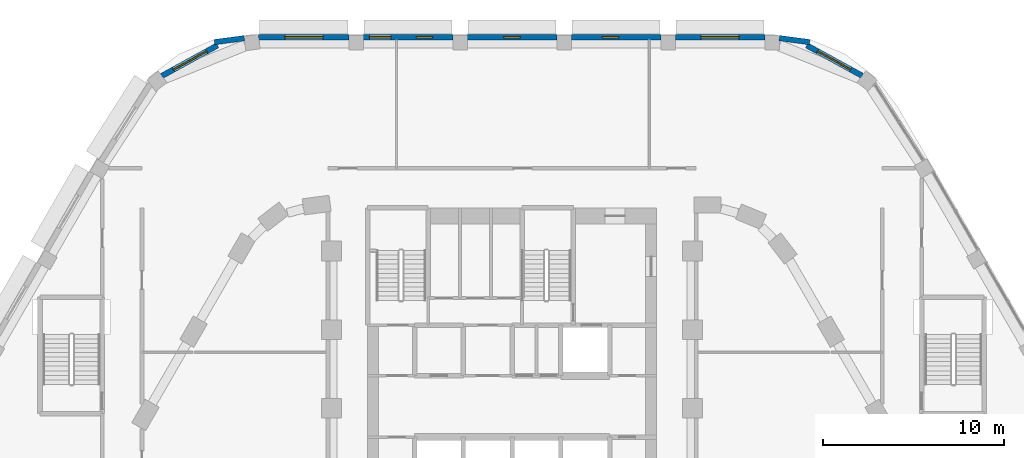
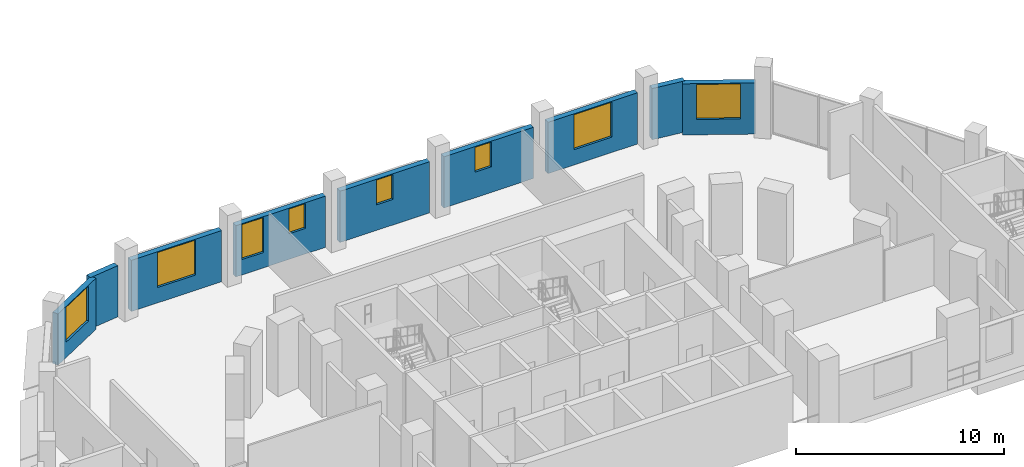
# One storey, part 28 of 47: 9 walls, 8 windows, 8 openings.
"""IFC4 building model written with IfcOpenShell, lengths in metres."""

import ifcopenshell
import ifcopenshell.guid

model = None  # the IFC model being written
_history = None  # IfcOwnerHistory: only IFC2X3 demands one
_inside = {}  # id of a spatial element -> (the spatial element, [elements in it])
_under = {}  # id of a project, library or spatial element -> (it, [spatial elements below it])
_declared = {}  # id of a project -> (the project, [libraries it declares])
_typed = {}  # id of a type object -> (the type object, [elements of that type])
_made_of = {}  # id of a material, layer set ... -> (it, [elements and type objects made of it])


def new_model(schema):
    """Start an empty IFC model of exactly this schema.

    Asked for "IFC4X3", IfcOpenShell would pick the latest addendum, in which some entities
    have other attributes; the version numbers below select the first issue.
    IFC2X3 requires an IfcOwnerHistory on every rooted entity: one is made here for all.
    """
    global model, _history
    if schema == "IFC4X3":
        model = ifcopenshell.file(schema_version=(4, 3, 0, 0))
    else:
        model = ifcopenshell.file(schema=schema)
    _inside.clear()
    _under.clear()
    _declared.clear()
    _typed.clear()
    _made_of.clear()
    _history = None
    if model.schema == "IFC2X3":
        org = make("IfcOrganization", Name="unknown")
        user = make(
            "IfcPersonAndOrganization",
            ThePerson=make("IfcPerson", FamilyName="unknown"),
            TheOrganization=org,
        )
        app = make(
            "IfcApplication",
            ApplicationDeveloper=org,
            Version="unknown",
            ApplicationFullName="unknown",
            ApplicationIdentifier="unknown",
        )
        _history = make(
            "IfcOwnerHistory",
            OwningUser=user,
            OwningApplication=app,
            ChangeAction="ADDED",
            CreationDate=0,
        )
    return model


def make(cls, **values):
    """One entity of the class cls with the attributes given. An attribute that is None is left unset."""
    return model.create_entity(
        cls, **{name: value for name, value in values.items() if value is not None}
    )


def rooted(cls, **values):
    """An entity with a GlobalId (a new one), such as an element, a storey or a relation."""
    return make(cls, GlobalId=ifcopenshell.guid.new(), OwnerHistory=_history, **values)


def si_unit(unit_type, name, prefix=None):
    """IfcSIUnit, for example si_unit("LENGTHUNIT", "METRE", prefix="MILLI")."""
    return make("IfcSIUnit", UnitType=unit_type, Prefix=prefix, Name=name)


def assignment(units):
    """IfcUnitAssignment: the units of a project."""
    return None if units is None else make("IfcUnitAssignment", Units=units)


def point(xyz):
    """IfcCartesianPoint."""
    return None if xyz is None else make("IfcCartesianPoint", Coordinates=xyz)


def direction(xyz):
    """IfcDirection."""
    return None if xyz is None else make("IfcDirection", DirectionRatios=xyz)


def frame(location, z_axis=None, x_axis=None):
    """IfcAxis2Placement3D, a coordinate frame: its origin and axes. An axis left out is left unset."""
    return make(
        "IfcAxis2Placement3D",
        Location=point(location),
        Axis=direction(z_axis),
        RefDirection=direction(x_axis),
    )


def frame_2d(location, x_axis=None):
    """IfcAxis2Placement2D, a coordinate frame in the plane: its origin and x axis."""
    return make(
        "IfcAxis2Placement2D", Location=point(location), RefDirection=direction(x_axis)
    )


def origin():
    """The frame at (0, 0, 0) with its axes left unset."""
    return frame((0.0, 0.0, 0.0))


def place(relative_to, where):
    """IfcLocalPlacement: puts the frame where relative to a parent placement (None: the world)."""
    return make(
        "IfcLocalPlacement", PlacementRelTo=relative_to, RelativePlacement=where
    )


def context(
    kind, dimensions, precision=None, world=None, true_north=None, identifier=None
):
    """IfcGeometricRepresentationContext, for example the 3D "Model" context."""
    return make(
        "IfcGeometricRepresentationContext",
        ContextIdentifier=identifier,
        ContextType=kind,
        CoordinateSpaceDimension=dimensions,
        Precision=precision,
        WorldCoordinateSystem=world,
        TrueNorth=true_north,
    )


def subcontext(parent, identifier, kind, view, scale=None):
    """IfcGeometricRepresentationSubContext, for example "Body" below "Model"."""
    return make(
        "IfcGeometricRepresentationSubContext",
        ContextIdentifier=identifier,
        ContextType=kind,
        ParentContext=parent,
        TargetScale=scale,
        TargetView=view,
    )


def project(units=None, contexts=None):
    """IfcProject with its units and contexts."""
    return rooted(
        "IfcProject",
        Name="project",
        RepresentationContexts=contexts,
        UnitsInContext=assignment(units),
    )


def spatial(cls, under=None, at=None, **own):
    """A site, building, storey or space (cls), placed at a placement, below another one or the project."""
    s = rooted(cls, ObjectPlacement=at, **own)
    if under is not None:
        _under.setdefault(under.id(), (under, []))[1].append(s)
    return s


def profile(cls, at=None, kind="AREA", **sizes):
    """A parametric profile (cls). Its sizes go by their IFC names, for example OverallWidth=200.0."""
    return make(cls, ProfileType=kind, Position=at, **sizes)


def rectangle(**sizes):
    """IfcRectangleProfileDef."""
    return profile("IfcRectangleProfileDef", **sizes)


def extrude(swept, where, along, depth):
    """IfcExtrudedAreaSolid: the profile swept, set in the frame where, extruded along a direction by depth."""
    return make(
        "IfcExtrudedAreaSolid",
        SweptArea=swept,
        Position=where,
        ExtrudedDirection=direction(along),
        Depth=depth,
    )


def shape(context_of_items, identifier, shape_type, items):
    """IfcShapeRepresentation: the items that make up one representation, for example the "Body"."""
    return make(
        "IfcShapeRepresentation",
        ContextOfItems=context_of_items,
        RepresentationIdentifier=identifier,
        RepresentationType=shape_type,
        Items=items,
    )


def material(Name=None, Category=None):
    """IfcMaterial."""
    return make("IfcMaterial", Name=Name, Category=Category)


def layer(
    of_material, thickness, ventilated=None, Name=None, Category=None, Priority=None
):
    """IfcMaterialLayer: one layer of a wall or slab, of a material (None: an air gap)."""
    return make(
        "IfcMaterialLayer",
        Material=of_material,
        LayerThickness=thickness,
        IsVentilated=ventilated,
        Name=Name,
        Category=Category,
        Priority=Priority,
    )


def layer_set(layers, Name=None):
    """IfcMaterialLayerSet."""
    return make("IfcMaterialLayerSet", MaterialLayers=layers, LayerSetName=Name)


def made_of(thing, what):
    """Note that an element or type object is made of a material, layer set ...; save() writes the relation."""
    if what is not None:
        _made_of.setdefault(what.id(), (what, []))[1].append(thing)
    return thing


def type_object(cls, material=None, **own):
    """A type object (cls), such as IfcWallType, which elements share."""
    return made_of(rooted(cls, **own), material)


def element(
    cls,
    number,
    at=None,
    inside=None,
    cuts=None,
    type_object=None,
    material=None,
    context=None,
    identifier="Body",
    shape_type=None,
    held_by="IfcProductDefinitionShape",
    body=None,
    shapes=None,
    **own,
):
    """One element of the class cls, such as IfcWall. Its Tag is "e" and its number.

    at: its placement. inside: the storey or other place that contains it. cuts: it is an
    opening in that element (IfcRelVoidsElement). A single representation is given by context,
    identifier, shape_type and body (its items); several are given by shapes. held_by: the class
    of the entity that holds the representations. save() writes the other relations.
    """
    e = rooted(cls, Tag="e%d" % number, ObjectPlacement=at, **own)
    if body is not None:
        shapes = [shape(context, identifier, shape_type, body)]
    if shapes is not None:
        e.Representation = make(held_by, Representations=shapes)
    if inside is not None:
        _inside.setdefault(inside.id(), (inside, []))[1].append(e)
    if cuts is not None:
        rooted(
            "IfcRelVoidsElement", RelatingBuildingElement=cuts, RelatedOpeningElement=e
        )
    if type_object is not None:
        _typed.setdefault(type_object.id(), (type_object, []))[1].append(e)
    return made_of(e, material)


def fill(opening, filler):
    """IfcRelFillsElement: the door or window that sits in an opening."""
    return rooted(
        "IfcRelFillsElement",
        RelatingOpeningElement=opening,
        RelatedBuildingElement=filler,
    )


def aggregate(whole, parts):
    """IfcRelAggregates: a whole, such as a stair, and the parts it consists of."""
    return rooted("IfcRelAggregates", RelatingObject=whole, RelatedObjects=parts)


def save(model, path):
    """Write the relations noted so far, then the file.

    IfcRelAggregates (storeys below a building ...), IfcRelContainedInSpatialStructure (elements
    in a storey), IfcRelDefinesByType, IfcRelAssociatesMaterial and IfcRelDeclares: one each for
    every whole, place, type object, material and project.
    """
    for whole, parts in _under.values():
        aggregate(whole, parts)
    for where, things in _inside.values():
        rooted(
            "IfcRelContainedInSpatialStructure",
            RelatedElements=things,
            RelatingStructure=where,
        )
    for kind, things in _typed.values():
        rooted("IfcRelDefinesByType", RelatedObjects=things, RelatingType=kind)
    for what, things in _made_of.values():
        rooted("IfcRelAssociatesMaterial", RelatedObjects=things, RelatingMaterial=what)
    for by, libraries in _declared.values():
        rooted("IfcRelDeclares", RelatingContext=by, RelatedDefinitions=libraries)
    model.write(path)


model = new_model("IFC4")

# Units and contexts
model_context = context("Model", 3, precision=1e-05, world=origin(), true_north=direction((0.0, 1.0)))
body_context = subcontext(model_context, "Body", "Model", "MODEL_VIEW")
ifc_project = project(units=[si_unit("LENGTHUNIT", "METRE"), si_unit("AREAUNIT", "SQUARE_METRE"), si_unit("VOLUMEUNIT", "CUBIC_METRE"), si_unit("PLANEANGLEUNIT", "RADIAN"), si_unit("MASSUNIT", "GRAM", prefix="KILO")], contexts=[model_context])

# Site, building, storey
site_placement = place(None, origin())
site = spatial("IfcSite", under=ifc_project, at=site_placement, CompositionType="ELEMENT")
building_placement = place(site_placement, origin())
building = spatial("IfcBuilding", under=site, at=building_placement, Name="Nakaniwa Court", CompositionType="ELEMENT")
storey_placement = place(building_placement, frame((0.0, 0.0, 15.60009765625)))
storey = spatial("IfcBuildingStorey", under=building, at=storey_placement, Name="L03", CompositionType="ELEMENT", Elevation=15.60009765625)

# Wall, opening, window
ifc_material_1 = material(Name="Charcoal ceramic cladding")
ifc_layer_1 = layer(ifc_material_1, 0.02, Name="Ceramic cladding")
ifc_material_2 = material(Name="Ventilated air cavity")
ifc_layer_2 = layer(ifc_material_2, 0.04, ventilated=True, Name="Ventilated cavity")
ifc_material_3 = material(Name="Mineral wool insulation")
ifc_layer_3 = layer(ifc_material_3, 0.1, Name="Insulation")
ifc_material_4 = material(Name="Cement bonded sheathing board")
ifc_layer_4 = layer(ifc_material_4, 0.012, Name="Sheathing")
ifc_material_5 = material(Name="Cold-formed galvanised stud frame with mineral wool infill")
ifc_layer_5 = layer(ifc_material_5, 0.1, Name="Stud frame")
ifc_material_6 = material(Name="Fire-rated gypsum plasterboard lining")
ifc_layer_6 = layer(ifc_material_6, 0.028, Name="Lining")
ifc_layer_set = layer_set([ifc_layer_1, ifc_layer_2, ifc_layer_3, ifc_layer_4, ifc_layer_5, ifc_layer_6], Name="Charcoal ceramic faced external wall system")
wall_type = type_object("IfcWallType", Name="Black ceramic faced external wall 300", PredefinedType="SOLIDWALL", material=ifc_layer_set)
wall_1_placement = place(storey_placement, frame((99.388671875, 110.71533203125, 0.0), z_axis=(0.0, 0.0, 1.0), x_axis=(-0.876785818174, 0.480881096581, 0.0)))
wall_1 = element("IfcWall", 1, at=wall_1_placement, inside=storey, type_object=wall_type, Name="L03 external wall 44", PredefinedType="SOLIDWALL", context=body_context, shape_type="SweptSolid", body=[
    extrude(rectangle(XDim=3.49658203125, YDim=0.300048828125, at=frame_2d((1.748291015625, 0.0))), origin(), (0.0, 0.0, 1.0), 3.0),
])
opening_1_placement = place(wall_1_placement, frame((0.723388671875, 0.0, 0.89990234375)))
opening_1 = element("IfcOpeningElement", 2, at=opening_1_placement, cuts=wall_1, Name="Opening W2.35", PredefinedType="OPENING", context=body_context, shape_type="SweptSolid", body=[
    extrude(rectangle(XDim=2.10009765625, YDim=2.050048828125, at=frame_2d((1.050048828125, 1.02490234375))), frame((0.0, 0.159912109375, 0.0), z_axis=(0.0, -1.0, 0.0), x_axis=(1.0, 0.0, 0.0)), (0.0, 0.0, 1.0), 0.320068359375),
])
ifc_material_7 = material(Name="Black anodised aluminium frame with dark low-E laminated double glazing", Category="aluminium")
window_type_1 = type_object("IfcWindowType", Name="Dark glass window 2100x2050 sill 900", PartitioningType="SINGLE_PANEL", PredefinedType="WINDOW", material=ifc_material_7)
window_1_placement = place(opening_1_placement, origin())
window_1 = element("IfcWindow", 3, at=window_1_placement, inside=storey, type_object=window_type_1, Name="L03 habitable room window 44-0", OverallHeight=2.050048828125, OverallWidth=2.10009765625, PartitioningType="SINGLE_PANEL", PredefinedType="WINDOW", context=body_context, shape_type="SweptSolid", body=[
    extrude(rectangle(XDim=2.10009765625, YDim=2.050048828125, at=frame_2d((1.050048828125, 1.02490234375))), frame((0.0, 0.030029296875, 0.0), z_axis=(0.0, -1.0, 0.0), x_axis=(1.0, 0.0, 0.0)), (0.0, 0.0, 1.0), 0.06005859375),
])
fill(opening_1, window_1)

# Wall
wall_2_placement = place(storey_placement, frame((96.484619140625, 112.57861328125, 0.0), z_axis=(0.0, 0.0, 1.0), x_axis=(-0.991431291018, 0.130629227937, 0.0)))
element("IfcWall", 4, at=wall_2_placement, inside=storey, type_object=wall_type, Name="L03 external wall 45", PredefinedType="SOLIDWALL", context=body_context, shape_type="SweptSolid", body=[
    extrude(rectangle(XDim=1.698974609375, YDim=0.300048828125, at=frame_2d((0.849609375, 0.0))), origin(), (0.0, 0.0, 1.0), 3.0),
])

# Wall, opening, window
wall_3_placement = place(storey_placement, frame((94.00830078125, 112.85009765625, 0.0), z_axis=(0.0, 0.0, 1.0), x_axis=(-1.0, 0.0, 0.0)))
wall_3 = element("IfcWall", 5, at=wall_3_placement, inside=storey, type_object=wall_type, Name="L03 external wall 46", PredefinedType="SOLIDWALL", context=body_context, shape_type="SweptSolid", body=[
    extrude(rectangle(XDim=4.9697265625, YDim=0.300048828125, at=frame_2d((2.48486328125, 0.0))), origin(), (0.0, 0.0, 1.0), 3.0),
])
opening_2_placement = place(wall_3_placement, frame((1.434814453125, 0.0, 0.89990234375)))
opening_2 = element("IfcOpeningElement", 6, at=opening_2_placement, cuts=wall_3, Name="Opening W2.36", PredefinedType="OPENING", context=body_context, shape_type="SweptSolid", body=[
    extrude(rectangle(XDim=2.10009765625, YDim=2.050048828125, at=frame_2d((1.050048828125, 1.02490234375))), frame((0.0, 0.159912109375, 0.0), z_axis=(0.0, -1.0, 0.0), x_axis=(1.0, 0.0, 0.0)), (0.0, 0.0, 1.0), 0.320068359375),
])
window_2_placement = place(opening_2_placement, origin())
window_2 = element("IfcWindow", 7, at=window_2_placement, inside=storey, type_object=window_type_1, Name="L03 habitable room window 46-0", OverallHeight=2.050048828125, OverallWidth=2.10009765625, PartitioningType="SINGLE_PANEL", PredefinedType="WINDOW", context=body_context, shape_type="SweptSolid", body=[
    extrude(rectangle(XDim=2.10009765625, YDim=2.050048828125, at=frame_2d((1.050048828125, 1.02490234375))), frame((0.0, 0.030029296875, 0.0), z_axis=(0.0, -1.0, 0.0), x_axis=(1.0, 0.0, 0.0)), (0.0, 0.0, 1.0), 0.06005859375),
])
fill(opening_2, window_2)

wall_4_placement = place(storey_placement, frame((88.24658203125, 112.85009765625, 0.0), z_axis=(0.0, 0.0, 1.0), x_axis=(-1.0, 0.0, 0.0)))
wall_4 = element("IfcWall", 8, at=wall_4_placement, inside=storey, type_object=wall_type, Name="L03 external wall 47", PredefinedType="SOLIDWALL", context=body_context, shape_type="SweptSolid", body=[
    extrude(rectangle(XDim=4.9697265625, YDim=0.300048828125, at=frame_2d((2.48486328125, 0.0))), origin(), (0.0, 0.0, 1.0), 3.0),
])
opening_3_placement = place(wall_4_placement, frame((2.34619140625, 0.0, 1.5)))
opening_3 = element("IfcOpeningElement", 9, at=opening_3_placement, cuts=wall_4, Name="Opening W3.37", PredefinedType="OPENING", context=body_context, shape_type="SweptSolid", body=[
    extrude(rectangle(XDim=0.89990234375, YDim=1.449951171875, at=frame_2d((0.449951171875, 0.72509765625))), frame((0.0, 0.159912109375, 0.0), z_axis=(0.0, -1.0, 0.0), x_axis=(1.0, 0.0, 0.0)), (0.0, 0.0, 1.0), 0.320068359375),
])
window_type_2 = type_object("IfcWindowType", Name="Dark glass window 900x1450 sill 1500", PartitioningType="SINGLE_PANEL", PredefinedType="WINDOW", material=ifc_material_7)
window_3_placement = place(opening_3_placement, origin())
window_3 = element("IfcWindow", 10, at=window_3_placement, inside=storey, type_object=window_type_2, Name="L03 bathroom window 47-1", OverallHeight=1.449951171875, OverallWidth=0.89990234375, PartitioningType="SINGLE_PANEL", PredefinedType="WINDOW", context=body_context, shape_type="SweptSolid", body=[
    extrude(rectangle(XDim=0.89990234375, YDim=1.449951171875, at=frame_2d((0.449951171875, 0.72509765625))), frame((0.0, 0.030029296875, 0.0), z_axis=(0.0, -1.0, 0.0), x_axis=(1.0, 0.0, 0.0)), (0.0, 0.0, 1.0), 0.06005859375),
])
fill(opening_3, window_3)

wall_5_placement = place(storey_placement, frame((82.48486328125, 112.85009765625, 0.0), z_axis=(0.0, 0.0, 1.0), x_axis=(-1.0, 0.0, 0.0)))
wall_5 = element("IfcWall", 11, at=wall_5_placement, inside=storey, type_object=wall_type, Name="L03 external wall 48", PredefinedType="SOLIDWALL", context=body_context, shape_type="SweptSolid", body=[
    extrude(rectangle(XDim=4.9697265625, YDim=0.300048828125, at=frame_2d((2.48486328125, 0.0))), origin(), (0.0, 0.0, 1.0), 3.0),
])
opening_4_placement = place(wall_5_placement, frame((2.034912109375, 0.0, 1.5)))
opening_4 = element("IfcOpeningElement", 12, at=opening_4_placement, cuts=wall_5, Name="Opening W3.38", PredefinedType="OPENING", context=body_context, shape_type="SweptSolid", body=[
    extrude(rectangle(XDim=0.89990234375, YDim=1.449951171875, at=frame_2d((0.449951171875, 0.72509765625))), frame((0.0, 0.159912109375, 0.0), z_axis=(0.0, -1.0, 0.0), x_axis=(1.0, 0.0, 0.0)), (0.0, 0.0, 1.0), 0.320068359375),
])
window_4_placement = place(opening_4_placement, origin())
window_4 = element("IfcWindow", 13, at=window_4_placement, inside=storey, type_object=window_type_2, Name="L03 bathroom window 48-0", OverallHeight=1.449951171875, OverallWidth=0.89990234375, PartitioningType="SINGLE_PANEL", PredefinedType="WINDOW", context=body_context, shape_type="SweptSolid", body=[
    extrude(rectangle(XDim=0.89990234375, YDim=1.449951171875, at=frame_2d((0.449951171875, 0.72509765625))), frame((0.0, 0.030029296875, 0.0), z_axis=(0.0, -1.0, 0.0), x_axis=(1.0, 0.0, 0.0)), (0.0, 0.0, 1.0), 0.06005859375),
])
fill(opening_4, window_4)

# Wall, openings, windows
wall_6_placement = place(storey_placement, frame((76.72314453125, 112.85009765625, 0.0), z_axis=(0.0, 0.0, 1.0), x_axis=(-1.0, 0.0, 0.0)))
wall_6 = element("IfcWall", 14, at=wall_6_placement, inside=storey, type_object=wall_type, Name="L03 external wall 49", PredefinedType="SOLIDWALL", context=body_context, shape_type="SweptSolid", body=[
    extrude(rectangle(XDim=4.9697265625, YDim=0.300048828125, at=frame_2d((2.48486328125, 0.0))), origin(), (0.0, 0.0, 1.0), 3.0),
])
opening_5_placement = place(wall_6_placement, frame((1.12353515625, 0.0, 1.5)))
opening_5 = element("IfcOpeningElement", 15, at=opening_5_placement, cuts=wall_6, Name="Opening W3.39", PredefinedType="OPENING", context=body_context, shape_type="SweptSolid", body=[
    extrude(rectangle(XDim=0.89990234375, YDim=1.449951171875, at=frame_2d((0.449951171875, 0.72509765625))), frame((0.0, 0.159912109375, 0.0), z_axis=(0.0, -1.0, 0.0), x_axis=(1.0, 0.0, 0.0)), (0.0, 0.0, 1.0), 0.320068359375),
])
opening_6_placement = place(wall_6_placement, frame((3.434326171875, 0.0, 0.89990234375)))
opening_6 = element("IfcOpeningElement", 16, at=opening_6_placement, cuts=wall_6, Name="Opening W1.40", PredefinedType="OPENING", context=body_context, shape_type="SweptSolid", body=[
    extrude(rectangle(XDim=1.199951171875, YDim=2.050048828125, at=frame_2d((0.60009765625, 1.02490234375))), frame((0.0, 0.159912109375, 0.0), z_axis=(0.0, -1.0, 0.0), x_axis=(1.0, 0.0, 0.0)), (0.0, 0.0, 1.0), 0.320068359375),
])
window_type_3 = type_object("IfcWindowType", Name="Dark glass window 1200x2050 sill 900", PartitioningType="SINGLE_PANEL", PredefinedType="WINDOW", material=ifc_material_7)
window_5_placement = place(opening_6_placement, origin())
window_5 = element("IfcWindow", 17, at=window_5_placement, inside=storey, type_object=window_type_3, Name="L03 habitable room window 49-1", OverallHeight=2.050048828125, OverallWidth=1.199951171875, PartitioningType="SINGLE_PANEL", PredefinedType="WINDOW", context=body_context, shape_type="SweptSolid", body=[
    extrude(rectangle(XDim=1.199951171875, YDim=2.050048828125, at=frame_2d((0.60009765625, 1.02490234375))), frame((0.0, 0.030029296875, 0.0), z_axis=(0.0, -1.0, 0.0), x_axis=(1.0, 0.0, 0.0)), (0.0, 0.0, 1.0), 0.06005859375),
])
fill(opening_6, window_5)
window_6_placement = place(opening_5_placement, origin())
window_6 = element("IfcWindow", 18, at=window_6_placement, inside=storey, type_object=window_type_2, Name="L03 bathroom window 49-0", OverallHeight=1.449951171875, OverallWidth=0.89990234375, PartitioningType="SINGLE_PANEL", PredefinedType="WINDOW", context=body_context, shape_type="SweptSolid", body=[
    extrude(rectangle(XDim=0.89990234375, YDim=1.449951171875, at=frame_2d((0.449951171875, 0.72509765625))), frame((0.0, 0.030029296875, 0.0), z_axis=(0.0, -1.0, 0.0), x_axis=(1.0, 0.0, 0.0)), (0.0, 0.0, 1.0), 0.06005859375),
])
fill(opening_5, window_6)

# Wall, opening, window
wall_7_placement = place(storey_placement, frame((70.96142578125, 112.85009765625, 0.0), z_axis=(0.0, 0.0, 1.0), x_axis=(-1.0, 0.0, 0.0)))
wall_7 = element("IfcWall", 19, at=wall_7_placement, inside=storey, type_object=wall_type, Name="L03 external wall 50", PredefinedType="SOLIDWALL", context=body_context, shape_type="SweptSolid", body=[
    extrude(rectangle(XDim=5.005615234375, YDim=0.300048828125, at=frame_2d((2.5029296875, 0.0))), origin(), (0.0, 0.0, 1.0), 3.0),
])
opening_7_placement = place(wall_7_placement, frame((1.441650390625, 0.0, 0.89990234375)))
opening_7 = element("IfcOpeningElement", 20, at=opening_7_placement, cuts=wall_7, Name="Opening W2.41", PredefinedType="OPENING", context=body_context, shape_type="SweptSolid", body=[
    extrude(rectangle(XDim=2.10009765625, YDim=2.050048828125, at=frame_2d((1.050048828125, 1.02490234375))), frame((0.0, 0.159912109375, 0.0), z_axis=(0.0, -1.0, 0.0), x_axis=(1.0, 0.0, 0.0)), (0.0, 0.0, 1.0), 0.320068359375),
])
window_7_placement = place(opening_7_placement, origin())
window_7 = element("IfcWindow", 21, at=window_7_placement, inside=storey, type_object=window_type_1, Name="L03 habitable room window 50-0", OverallHeight=2.050048828125, OverallWidth=2.10009765625, PartitioningType="SINGLE_PANEL", PredefinedType="WINDOW", context=body_context, shape_type="SweptSolid", body=[
    extrude(rectangle(XDim=2.10009765625, YDim=2.050048828125, at=frame_2d((1.050048828125, 1.02490234375))), frame((0.0, 0.030029296875, 0.0), z_axis=(0.0, -1.0, 0.0), x_axis=(1.0, 0.0, 0.0)), (0.0, 0.0, 1.0), 0.06005859375),
])
fill(opening_7, window_7)

# Wall
wall_8_placement = place(storey_placement, frame((65.1640625, 112.795654296875, 0.0), z_axis=(0.0, 0.0, 1.0), x_axis=(-0.991445798324, -0.130519075183, 0.0)))
element("IfcWall", 22, at=wall_8_placement, inside=storey, type_object=wall_type, Name="L03 external wall 51", PredefinedType="SOLIDWALL", context=body_context, shape_type="SweptSolid", body=[
    extrude(rectangle(XDim=1.662841796875, YDim=0.300048828125, at=frame_2d((0.83154296875, 0.0))), origin(), (0.0, 0.0, 1.0), 3.0),
])

# Wall, opening, window
wall_9_placement = place(storey_placement, frame((63.677978515625, 112.395751953125, 0.0), z_axis=(0.0, 0.0, 1.0), x_axis=(-0.876502039768, -0.481398145284, 0.0)))
wall_9 = element("IfcWall", 23, at=wall_9_placement, inside=storey, type_object=wall_type, Name="L03 external wall 52", PredefinedType="SOLIDWALL", context=body_context, shape_type="SweptSolid", body=[
    extrude(rectangle(XDim=3.510986328125, YDim=0.300048828125, at=frame_2d((1.75537109375, 0.0))), origin(), (0.0, 0.0, 1.0), 3.0),
])
opening_8_placement = place(wall_9_placement, frame((0.680419921875, 0.0, 0.89990234375)))
opening_8 = element("IfcOpeningElement", 24, at=opening_8_placement, cuts=wall_9, Name="Opening W2.42", PredefinedType="OPENING", context=body_context, shape_type="SweptSolid", body=[
    extrude(rectangle(XDim=2.10009765625, YDim=2.050048828125, at=frame_2d((1.050048828125, 1.02490234375))), frame((0.0, 0.159912109375, 0.0), z_axis=(0.0, -1.0, 0.0), x_axis=(1.0, 0.0, 0.0)), (0.0, 0.0, 1.0), 0.320068359375),
])
window_8_placement = place(opening_8_placement, origin())
window_8 = element("IfcWindow", 25, at=window_8_placement, inside=storey, type_object=window_type_1, Name="L03 habitable room window 52-0", OverallHeight=2.050048828125, OverallWidth=2.10009765625, PartitioningType="SINGLE_PANEL", PredefinedType="WINDOW", context=body_context, shape_type="SweptSolid", body=[
    extrude(rectangle(XDim=2.10009765625, YDim=2.050048828125, at=frame_2d((1.050048828125, 1.02490234375))), frame((0.0, 0.030029296875, 0.0), z_axis=(0.0, -1.0, 0.0), x_axis=(1.0, 0.0, 0.0)), (0.0, 0.0, 1.0), 0.06005859375),
])
fill(opening_8, window_8)

save(model, "model.ifc")
